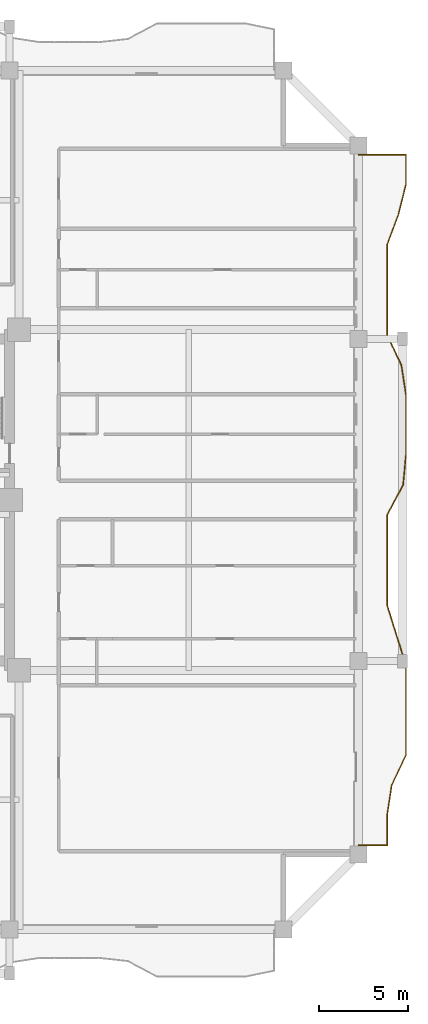
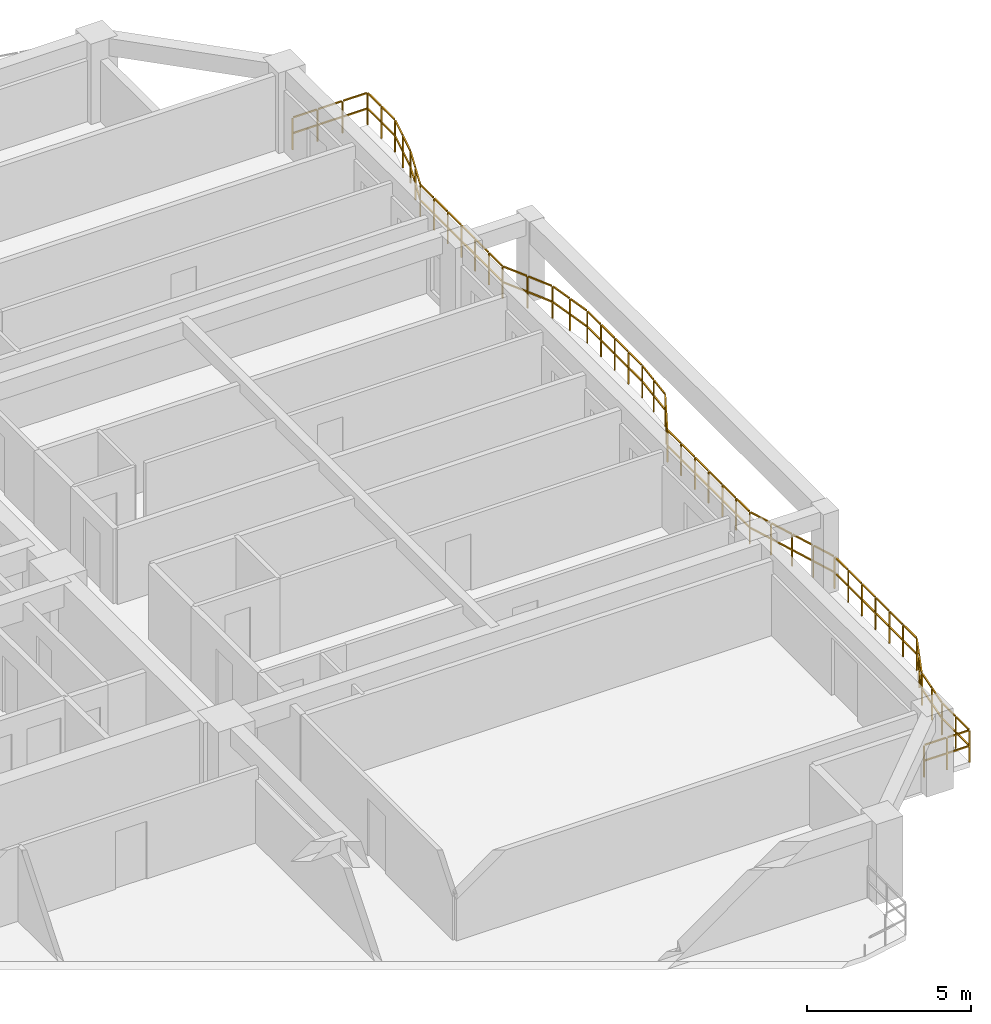
# One storey, part 12 of 13: 1 railing.
"""IFC4 building model written with IfcOpenShell, lengths in metres."""

from ifc_helpers import new_model, si_unit, direction, frame, origin, origin_2d, place, context, subcontext, project, spatial, rectangle, extrude, material, type_object, element, save


model = new_model("IFC4")

# Units and contexts
model_context = context("Model", 3, precision=1e-05, world=origin(), true_north=direction((0.0, 1.0)))
body_context = subcontext(model_context, "Body", "Model", "MODEL_VIEW")
ifc_project = project(units=[si_unit("LENGTHUNIT", "METRE"), si_unit("AREAUNIT", "SQUARE_METRE"), si_unit("VOLUMEUNIT", "CUBIC_METRE"), si_unit("PLANEANGLEUNIT", "RADIAN"), si_unit("MASSUNIT", "GRAM", prefix="KILO")], contexts=[model_context])

# Site, building, storey
site_placement = place(None, origin())
site = spatial("IfcSite", under=ifc_project, at=site_placement, CompositionType="ELEMENT")
building_placement = place(site_placement, origin())
building = spatial("IfcBuilding", under=site, at=building_placement, Name="Saelheon Loggia Tower", CompositionType="ELEMENT")
storey_placement = place(building_placement, frame((0.0, 0.0, 132.75)))
storey = spatial("IfcBuildingStorey", under=building, at=storey_placement, Name="L42", CompositionType="ELEMENT", Elevation=132.75)

# Railing
ifc_material = material(Name="Architectural Precast Concrete and Laminated Glass Guard", Category="concrete")
railing_type = type_object("IfcRailingType", Name="Guard_Loggia_RL_LOG", PredefinedType="BALUSTRADE", material=ifc_material)
railing_placement = place(storey_placement, frame((64.0, 7.699951171875, 0.0)))
element("IfcRailing", 1, at=railing_placement, inside=storey, type_object=railing_type, Name="L42 East Loggia Balustrade", PredefinedType="BALUSTRADE", context=body_context, shape_type="SweptSolid", body=[
    extrude(rectangle(XDim=0.048095703125, YDim=0.048095703125, at=origin_2d()), frame((0.033203125, 0.0, 1.19580078125), z_axis=(1.0, 0.0, 0.0), x_axis=(0.0, 1.0, 0.0)), (0.0, 0.0, 1.0), 0.733642578125),
    extrude(rectangle(XDim=0.048095703125, YDim=0.048095703125, at=origin_2d()), frame((0.033203125, 0.0, 0.60986328125), z_axis=(1.0, 0.0, 0.0), x_axis=(0.0, 1.0, 0.0)), (0.0, 0.0, 1.0), 0.733642578125),
    extrude(rectangle(XDim=0.048095703125, YDim=0.048095703125, at=origin_2d()), frame((0.833251953125, 0.0, 1.19580078125), z_axis=(1.0, 0.0, 0.0), x_axis=(0.0, 1.0, 0.0)), (0.0, 0.0, 1.0), 0.733642578125),
    extrude(rectangle(XDim=0.048095703125, YDim=0.048095703125, at=origin_2d()), frame((0.833251953125, 0.0, 0.60986328125), z_axis=(1.0, 0.0, 0.0), x_axis=(0.0, 1.0, 0.0)), (0.0, 0.0, 1.0), 0.733642578125),
    extrude(rectangle(XDim=0.048095703125, YDim=0.048095703125, at=origin_2d()), frame((1.60009765625, 0.033203125, 1.19580078125), z_axis=(0.0, 1.0, 0.0), x_axis=(-1.0, 0.0, 0.0)), (0.0, 0.0, 1.0), 0.772705078125),
    extrude(rectangle(XDim=0.048095703125, YDim=0.048095703125, at=origin_2d()), frame((1.60009765625, 0.033203125, 0.60986328125), z_axis=(0.0, 1.0, 0.0), x_axis=(-1.0, 0.0, 0.0)), (0.0, 0.0, 1.0), 0.772705078125),
    extrude(rectangle(XDim=0.048095703125, YDim=0.048095703125, at=origin_2d()), frame((1.60009765625, 0.87255859375, 1.19580078125), z_axis=(0.0, 1.0, 0.0), x_axis=(-1.0, 0.0, 0.0)), (0.0, 0.0, 1.0), 0.772705078125),
    extrude(rectangle(XDim=0.048095703125, YDim=0.048095703125, at=origin_2d()), frame((1.60009765625, 0.87255859375, 0.60986328125), z_axis=(0.0, 1.0, 0.0), x_axis=(-1.0, 0.0, 0.0)), (0.0, 0.0, 1.0), 0.772705078125),
    extrude(rectangle(XDim=0.048095703125, YDim=0.048095703125, at=origin_2d()), frame((1.605224609375, 1.71142578125, 1.19580078125), z_axis=(0.15116008587, 0.988509296082, 0.0), x_axis=(-0.988509296082, 0.15116008587, 0.0)), (0.0, 0.0, 1.0), 0.7822265625),
    extrude(rectangle(XDim=0.048095703125, YDim=0.048095703125, at=origin_2d()), frame((1.605224609375, 1.71142578125, 0.60986328125), z_axis=(0.15116008587, 0.988509296082, 0.0), x_axis=(-0.988509296082, 0.15116008587, 0.0)), (0.0, 0.0, 1.0), 0.7822265625),
    extrude(rectangle(XDim=0.048095703125, YDim=0.048095703125, at=origin_2d()), frame((1.7333984375, 2.55029296875, 1.19580078125), z_axis=(0.15116008587, 0.988509296082, 0.0), x_axis=(-0.988509296082, 0.15116008587, 0.0)), (0.0, 0.0, 1.0), 0.7822265625),
    extrude(rectangle(XDim=0.048095703125, YDim=0.048095703125, at=origin_2d()), frame((1.7333984375, 2.55029296875, 0.60986328125), z_axis=(0.15116008587, 0.988509296082, 0.0), x_axis=(-0.988509296082, 0.15116008587, 0.0)), (0.0, 0.0, 1.0), 0.7822265625),
    extrude(rectangle(XDim=0.048095703125, YDim=0.048095703125, at=origin_2d()), frame((1.870849609375, 3.386474609375, 1.19580078125), z_axis=(0.427272125585, 0.90412307276, 0.0), x_axis=(-0.90412307276, 0.427272125585, 0.0)), (0.0, 0.0, 1.0), 0.86181640625),
    extrude(rectangle(XDim=0.048095703125, YDim=0.048095703125, at=origin_2d()), frame((1.870849609375, 3.386474609375, 0.60986328125), z_axis=(0.427272125585, 0.90412307276, 0.0), x_axis=(-0.90412307276, 0.427272125585, 0.0)), (0.0, 0.0, 1.0), 0.86181640625),
    extrude(rectangle(XDim=0.048095703125, YDim=0.048095703125, at=origin_2d()), frame((2.267578125, 4.225830078125, 1.19580078125), z_axis=(0.427272125585, 0.90412307276, 0.0), x_axis=(-0.90412307276, 0.427272125585, 0.0)), (0.0, 0.0, 1.0), 0.86181640625),
    extrude(rectangle(XDim=0.048095703125, YDim=0.048095703125, at=origin_2d()), frame((2.267578125, 4.225830078125, 0.60986328125), z_axis=(0.427272125585, 0.90412307276, 0.0), x_axis=(-0.90412307276, 0.427272125585, 0.0)), (0.0, 0.0, 1.0), 0.86181640625),
    extrude(rectangle(XDim=0.048095703125, YDim=0.048095703125, at=origin_2d()), frame((2.64990234375, 5.068115234375, 1.19580078125), z_axis=(0.0, 1.0, 0.0), x_axis=(-1.0, 0.0, 0.0)), (0.0, 0.0, 1.0), 0.772705078125),
    extrude(rectangle(XDim=0.048095703125, YDim=0.048095703125, at=origin_2d()), frame((2.64990234375, 5.068115234375, 0.60986328125), z_axis=(0.0, 1.0, 0.0), x_axis=(-1.0, 0.0, 0.0)), (0.0, 0.0, 1.0), 0.772705078125),
    extrude(rectangle(XDim=0.048095703125, YDim=0.048095703125, at=origin_2d()), frame((2.64990234375, 5.9072265625, 1.19580078125), z_axis=(0.0, 1.0, 0.0), x_axis=(-1.0, 0.0, 0.0)), (0.0, 0.0, 1.0), 0.772705078125),
    extrude(rectangle(XDim=0.048095703125, YDim=0.048095703125, at=origin_2d()), frame((2.64990234375, 5.9072265625, 0.60986328125), z_axis=(0.0, 1.0, 0.0), x_axis=(-1.0, 0.0, 0.0)), (0.0, 0.0, 1.0), 0.772705078125),
    extrude(rectangle(XDim=0.048095703125, YDim=0.048095703125, at=origin_2d()), frame((2.64990234375, 6.746337890625, 1.19580078125), z_axis=(0.0, 1.0, 0.0), x_axis=(-1.0, 0.0, 0.0)), (0.0, 0.0, 1.0), 0.772705078125),
    extrude(rectangle(XDim=0.048095703125, YDim=0.048095703125, at=origin_2d()), frame((2.64990234375, 6.746337890625, 0.60986328125), z_axis=(0.0, 1.0, 0.0), x_axis=(-1.0, 0.0, 0.0)), (0.0, 0.0, 1.0), 0.772705078125),
    extrude(rectangle(XDim=0.048095703125, YDim=0.048095703125, at=origin_2d()), frame((2.64990234375, 7.58544921875, 1.19580078125), z_axis=(0.0, 1.0, 0.0), x_axis=(-1.0, 0.0, 0.0)), (0.0, 0.0, 1.0), 0.772705078125),
    extrude(rectangle(XDim=0.048095703125, YDim=0.048095703125, at=origin_2d()), frame((2.64990234375, 7.58544921875, 0.60986328125), z_axis=(0.0, 1.0, 0.0), x_axis=(-1.0, 0.0, 0.0)), (0.0, 0.0, 1.0), 0.772705078125),
    extrude(rectangle(XDim=0.048095703125, YDim=0.048095703125, at=origin_2d()), frame((2.64990234375, 8.424560546875, 1.19580078125), z_axis=(0.0, 1.0, 0.0), x_axis=(-1.0, 0.0, 0.0)), (0.0, 0.0, 1.0), 0.772705078125),
    extrude(rectangle(XDim=0.048095703125, YDim=0.048095703125, at=origin_2d()), frame((2.64990234375, 8.424560546875, 0.60986328125), z_axis=(0.0, 1.0, 0.0), x_axis=(-1.0, 0.0, 0.0)), (0.0, 0.0, 1.0), 0.772705078125),
    extrude(rectangle(XDim=0.048095703125, YDim=0.048095703125, at=origin_2d()), frame((2.64990234375, 9.263671875, 1.19580078125), z_axis=(0.0, 1.0, 0.0), x_axis=(-1.0, 0.0, 0.0)), (0.0, 0.0, 1.0), 0.772705078125),
    extrude(rectangle(XDim=0.048095703125, YDim=0.048095703125, at=origin_2d()), frame((2.64990234375, 9.263671875, 0.60986328125), z_axis=(0.0, 1.0, 0.0), x_axis=(-1.0, 0.0, 0.0)), (0.0, 0.0, 1.0), 0.772705078125),
    extrude(rectangle(XDim=0.048095703125, YDim=0.048095703125, at=origin_2d()), frame((2.639892578125, 10.101318359375, 1.19580078125), z_axis=(-0.299017909957, 0.954247499093, 0.0), x_axis=(-0.954247499093, -0.299017909957, 0.0)), (0.0, 0.0, 1.0), 0.81298828125),
    extrude(rectangle(XDim=0.048095703125, YDim=0.048095703125, at=origin_2d()), frame((2.639892578125, 10.101318359375, 0.60986328125), z_axis=(-0.299017909957, 0.954247499093, 0.0), x_axis=(-0.954247499093, -0.299017909957, 0.0)), (0.0, 0.0, 1.0), 0.81298828125),
    extrude(rectangle(XDim=0.048095703125, YDim=0.048095703125, at=origin_2d()), frame((2.376953125, 10.9404296875, 1.19580078125), z_axis=(-0.299017909957, 0.954247499093, 0.0), x_axis=(-0.954247499093, -0.299017909957, 0.0)), (0.0, 0.0, 1.0), 0.81298828125),
    extrude(rectangle(XDim=0.048095703125, YDim=0.048095703125, at=origin_2d()), frame((2.376953125, 10.9404296875, 0.60986328125), z_axis=(-0.299017909957, 0.954247499093, 0.0), x_axis=(-0.954247499093, -0.299017909957, 0.0)), (0.0, 0.0, 1.0), 0.81298828125),
    extrude(rectangle(XDim=0.048095703125, YDim=0.048095703125, at=origin_2d()), frame((2.114013671875, 11.779541015625, 1.19580078125), z_axis=(-0.297966647273, 0.954576281453, 0.0), x_axis=(-0.954576281453, -0.297966647273, 0.0)), (0.0, 0.0, 1.0), 0.812744140625),
    extrude(rectangle(XDim=0.048095703125, YDim=0.048095703125, at=origin_2d()), frame((2.114013671875, 11.779541015625, 0.60986328125), z_axis=(-0.297966647273, 0.954576281453, 0.0), x_axis=(-0.954576281453, -0.297966647273, 0.0)), (0.0, 0.0, 1.0), 0.812744140625),
    extrude(rectangle(XDim=0.048095703125, YDim=0.048095703125, at=origin_2d()), frame((1.85205078125, 12.61865234375, 1.19580078125), z_axis=(-0.297966647273, 0.954576281453, 0.0), x_axis=(-0.954576281453, -0.297966647273, 0.0)), (0.0, 0.0, 1.0), 0.812744140625),
    extrude(rectangle(XDim=0.048095703125, YDim=0.048095703125, at=origin_2d()), frame((1.85205078125, 12.61865234375, 0.60986328125), z_axis=(-0.297966647273, 0.954576281453, 0.0), x_axis=(-0.954576281453, -0.297966647273, 0.0)), (0.0, 0.0, 1.0), 0.812744140625),
    extrude(rectangle(XDim=0.048095703125, YDim=0.048095703125, at=origin_2d()), frame((1.60009765625, 13.45947265625, 1.19580078125), z_axis=(0.0, 1.0, 0.0), x_axis=(-1.0, 0.0, 0.0)), (0.0, 0.0, 1.0), 0.7724609375),
    extrude(rectangle(XDim=0.048095703125, YDim=0.048095703125, at=origin_2d()), frame((1.60009765625, 13.45947265625, 0.60986328125), z_axis=(0.0, 1.0, 0.0), x_axis=(-1.0, 0.0, 0.0)), (0.0, 0.0, 1.0), 0.7724609375),
    extrude(rectangle(XDim=0.048095703125, YDim=0.048095703125, at=origin_2d()), frame((1.60009765625, 14.298583984375, 1.19580078125), z_axis=(0.0, 1.0, 0.0), x_axis=(-1.0, 0.0, 0.0)), (0.0, 0.0, 1.0), 0.7724609375),
    extrude(rectangle(XDim=0.048095703125, YDim=0.048095703125, at=origin_2d()), frame((1.60009765625, 14.298583984375, 0.60986328125), z_axis=(0.0, 1.0, 0.0), x_axis=(-1.0, 0.0, 0.0)), (0.0, 0.0, 1.0), 0.7724609375),
    extrude(rectangle(XDim=0.048095703125, YDim=0.048095703125, at=origin_2d()), frame((1.60009765625, 15.137451171875, 1.19580078125), z_axis=(0.0, 1.0, 0.0), x_axis=(-1.0, 0.0, 0.0)), (0.0, 0.0, 1.0), 0.772705078125),
    extrude(rectangle(XDim=0.048095703125, YDim=0.048095703125, at=origin_2d()), frame((1.60009765625, 15.137451171875, 0.60986328125), z_axis=(0.0, 1.0, 0.0), x_axis=(-1.0, 0.0, 0.0)), (0.0, 0.0, 1.0), 0.772705078125),
    extrude(rectangle(XDim=0.048095703125, YDim=0.048095703125, at=origin_2d()), frame((1.60009765625, 15.976806640625, 1.19580078125), z_axis=(0.0, 1.0, 0.0), x_axis=(-1.0, 0.0, 0.0)), (0.0, 0.0, 1.0), 0.772705078125),
    extrude(rectangle(XDim=0.048095703125, YDim=0.048095703125, at=origin_2d()), frame((1.60009765625, 15.976806640625, 0.60986328125), z_axis=(0.0, 1.0, 0.0), x_axis=(-1.0, 0.0, 0.0)), (0.0, 0.0, 1.0), 0.772705078125),
    extrude(rectangle(XDim=0.048095703125, YDim=0.048095703125, at=origin_2d()), frame((1.60009765625, 16.81591796875, 1.19580078125), z_axis=(0.000727378335, 0.99999973546, 0.0), x_axis=(-0.99999973546, 0.000727378335, 0.0)), (0.0, 0.0, 1.0), 0.772705078125),
    extrude(rectangle(XDim=0.048095703125, YDim=0.048095703125, at=origin_2d()), frame((1.60009765625, 16.81591796875, 0.60986328125), z_axis=(0.000727378335, 0.99999973546, 0.0), x_axis=(-0.99999973546, 0.000727378335, 0.0)), (0.0, 0.0, 1.0), 0.772705078125),
    extrude(rectangle(XDim=0.048095703125, YDim=0.048095703125, at=origin_2d()), frame((1.600830078125, 17.655029296875, 1.19580078125), z_axis=(0.000727378335, 0.99999973546, 0.0), x_axis=(-0.99999973546, 0.000727378335, 0.0)), (0.0, 0.0, 1.0), 0.772705078125),
    extrude(rectangle(XDim=0.048095703125, YDim=0.048095703125, at=origin_2d()), frame((1.600830078125, 17.655029296875, 0.60986328125), z_axis=(0.000727378335, 0.99999973546, 0.0), x_axis=(-0.99999973546, 0.000727378335, 0.0)), (0.0, 0.0, 1.0), 0.772705078125),
    extrude(rectangle(XDim=0.048095703125, YDim=0.048095703125, at=origin_2d()), frame((1.616943359375, 18.490234375, 1.19580078125), z_axis=(0.469474503482, 0.882946029257, 0.0), x_axis=(-0.882946029257, 0.469474503482, 0.0)), (0.0, 0.0, 1.0), 0.8837890625),
    extrude(rectangle(XDim=0.048095703125, YDim=0.048095703125, at=origin_2d()), frame((1.616943359375, 18.490234375, 0.60986328125), z_axis=(0.469474503482, 0.882946029257, 0.0), x_axis=(-0.882946029257, 0.469474503482, 0.0)), (0.0, 0.0, 1.0), 0.8837890625),
    extrude(rectangle(XDim=0.048095703125, YDim=0.048095703125, at=origin_2d()), frame((2.06298828125, 19.329345703125, 1.19580078125), z_axis=(0.469474503482, 0.882946029257, 0.0), x_axis=(-0.882946029257, 0.469474503482, 0.0)), (0.0, 0.0, 1.0), 0.8837890625),
    extrude(rectangle(XDim=0.048095703125, YDim=0.048095703125, at=origin_2d()), frame((2.06298828125, 19.329345703125, 0.60986328125), z_axis=(0.469474503482, 0.882946029257, 0.0), x_axis=(-0.882946029257, 0.469474503482, 0.0)), (0.0, 0.0, 1.0), 0.8837890625),
    extrude(rectangle(XDim=0.048095703125, YDim=0.048095703125, at=origin_2d()), frame((2.496826171875, 20.17236328125, 1.19580078125), z_axis=(0.092703521138, 0.995693756719, 0.0), x_axis=(-0.995693756719, 0.092703521138, 0.0)), (0.0, 0.0, 1.0), 0.7763671875),
    extrude(rectangle(XDim=0.048095703125, YDim=0.048095703125, at=origin_2d()), frame((2.496826171875, 20.17236328125, 0.60986328125), z_axis=(0.092703521138, 0.995693756719, 0.0), x_axis=(-0.995693756719, 0.092703521138, 0.0)), (0.0, 0.0, 1.0), 0.7763671875),
    extrude(rectangle(XDim=0.048095703125, YDim=0.048095703125, at=origin_2d()), frame((2.574951171875, 21.011474609375, 1.19580078125), z_axis=(0.092703521138, 0.995693756719, 0.0), x_axis=(-0.995693756719, 0.092703521138, 0.0)), (0.0, 0.0, 1.0), 0.7763671875),
    extrude(rectangle(XDim=0.048095703125, YDim=0.048095703125, at=origin_2d()), frame((2.574951171875, 21.011474609375, 0.60986328125), z_axis=(0.092703521138, 0.995693756719, 0.0), x_axis=(-0.995693756719, 0.092703521138, 0.0)), (0.0, 0.0, 1.0), 0.7763671875),
    extrude(rectangle(XDim=0.048095703125, YDim=0.048095703125, at=origin_2d()), frame((2.64990234375, 21.8505859375, 1.19580078125), z_axis=(0.0, 1.0, 0.0), x_axis=(-1.0, 0.0, 0.0)), (0.0, 0.0, 1.0), 0.772705078125),
    extrude(rectangle(XDim=0.048095703125, YDim=0.048095703125, at=origin_2d()), frame((2.64990234375, 21.8505859375, 0.60986328125), z_axis=(0.0, 1.0, 0.0), x_axis=(-1.0, 0.0, 0.0)), (0.0, 0.0, 1.0), 0.772705078125),
    extrude(rectangle(XDim=0.048095703125, YDim=0.048095703125, at=origin_2d()), frame((2.64990234375, 22.68994140625, 1.19580078125), z_axis=(0.0, 1.0, 0.0), x_axis=(-1.0, 0.0, 0.0)), (0.0, 0.0, 1.0), 0.772705078125),
    extrude(rectangle(XDim=0.048095703125, YDim=0.048095703125, at=origin_2d()), frame((2.64990234375, 22.68994140625, 0.60986328125), z_axis=(0.0, 1.0, 0.0), x_axis=(-1.0, 0.0, 0.0)), (0.0, 0.0, 1.0), 0.772705078125),
    extrude(rectangle(XDim=0.048095703125, YDim=0.048095703125, at=origin_2d()), frame((2.64990234375, 23.529052734375, 1.19580078125), z_axis=(0.0, 1.0, 0.0), x_axis=(-1.0, 0.0, 0.0)), (0.0, 0.0, 1.0), 0.7724609375),
    extrude(rectangle(XDim=0.048095703125, YDim=0.048095703125, at=origin_2d()), frame((2.64990234375, 23.529052734375, 0.60986328125), z_axis=(0.0, 1.0, 0.0), x_axis=(-1.0, 0.0, 0.0)), (0.0, 0.0, 1.0), 0.7724609375),
    extrude(rectangle(XDim=0.048095703125, YDim=0.048095703125, at=origin_2d()), frame((2.64990234375, 24.3681640625, 1.19580078125), z_axis=(0.0, 1.0, 0.0), x_axis=(-1.0, 0.0, 0.0)), (0.0, 0.0, 1.0), 0.7724609375),
    extrude(rectangle(XDim=0.048095703125, YDim=0.048095703125, at=origin_2d()), frame((2.64990234375, 24.3681640625, 0.60986328125), z_axis=(0.0, 1.0, 0.0), x_axis=(-1.0, 0.0, 0.0)), (0.0, 0.0, 1.0), 0.7724609375),
    extrude(rectangle(XDim=0.048095703125, YDim=0.048095703125, at=origin_2d()), frame((2.644775390625, 25.206787109375, 1.19580078125), z_axis=(-0.151819504814, 0.988408234465, 0.0), x_axis=(-0.988408234465, -0.151819504814, 0.0)), (0.0, 0.0, 1.0), 0.78271484375),
    extrude(rectangle(XDim=0.048095703125, YDim=0.048095703125, at=origin_2d()), frame((2.644775390625, 25.206787109375, 0.60986328125), z_axis=(-0.151819504814, 0.988408234465, 0.0), x_axis=(-0.988408234465, -0.151819504814, 0.0)), (0.0, 0.0, 1.0), 0.78271484375),
    extrude(rectangle(XDim=0.048095703125, YDim=0.048095703125, at=origin_2d()), frame((2.515869140625, 26.0458984375, 1.19580078125), z_axis=(-0.151819504814, 0.988408234465, 0.0), x_axis=(-0.988408234465, -0.151819504814, 0.0)), (0.0, 0.0, 1.0), 0.78271484375),
    extrude(rectangle(XDim=0.048095703125, YDim=0.048095703125, at=origin_2d()), frame((2.515869140625, 26.0458984375, 0.60986328125), z_axis=(-0.151819504814, 0.988408234465, 0.0), x_axis=(-0.988408234465, -0.151819504814, 0.0)), (0.0, 0.0, 1.0), 0.78271484375),
    extrude(rectangle(XDim=0.048095703125, YDim=0.048095703125, at=origin_2d()), frame((2.3779296875, 26.88232421875, 1.19580078125), z_axis=(-0.42678516989, 0.904353038786, 0.0), x_axis=(-0.904353038786, -0.42678516989, 0.0)), (0.0, 0.0, 1.0), 0.861328125),
    extrude(rectangle(XDim=0.048095703125, YDim=0.048095703125, at=origin_2d()), frame((2.3779296875, 26.88232421875, 0.60986328125), z_axis=(-0.42678516989, 0.904353038786, 0.0), x_axis=(-0.904353038786, -0.42678516989, 0.0)), (0.0, 0.0, 1.0), 0.861328125),
    extrude(rectangle(XDim=0.048095703125, YDim=0.048095703125, at=origin_2d()), frame((1.98193359375, 27.721435546875, 1.19580078125), z_axis=(-0.42678516989, 0.904353038786, 0.0), x_axis=(-0.904353038786, -0.42678516989, 0.0)), (0.0, 0.0, 1.0), 0.861328125),
    extrude(rectangle(XDim=0.048095703125, YDim=0.048095703125, at=origin_2d()), frame((1.98193359375, 27.721435546875, 0.60986328125), z_axis=(-0.42678516989, 0.904353038786, 0.0), x_axis=(-0.904353038786, -0.42678516989, 0.0)), (0.0, 0.0, 1.0), 0.861328125),
    extrude(rectangle(XDim=0.048095703125, YDim=0.048095703125, at=origin_2d()), frame((1.60009765625, 28.563720703125, 1.19580078125), z_axis=(0.0, 1.0, 0.0), x_axis=(-1.0, 0.0, 0.0)), (0.0, 0.0, 1.0), 0.772705078125),
    extrude(rectangle(XDim=0.048095703125, YDim=0.048095703125, at=origin_2d()), frame((1.60009765625, 28.563720703125, 0.60986328125), z_axis=(0.0, 1.0, 0.0), x_axis=(-1.0, 0.0, 0.0)), (0.0, 0.0, 1.0), 0.772705078125),
    extrude(rectangle(XDim=0.048095703125, YDim=0.048095703125, at=origin_2d()), frame((1.60009765625, 29.40283203125, 1.19580078125), z_axis=(0.0, 1.0, 0.0), x_axis=(-1.0, 0.0, 0.0)), (0.0, 0.0, 1.0), 0.772705078125),
    extrude(rectangle(XDim=0.048095703125, YDim=0.048095703125, at=origin_2d()), frame((1.60009765625, 29.40283203125, 0.60986328125), z_axis=(0.0, 1.0, 0.0), x_axis=(-1.0, 0.0, 0.0)), (0.0, 0.0, 1.0), 0.772705078125),
    extrude(rectangle(XDim=0.048095703125, YDim=0.048095703125, at=origin_2d()), frame((1.60009765625, 30.241943359375, 1.19580078125), z_axis=(0.0, 1.0, 0.0), x_axis=(-1.0, 0.0, 0.0)), (0.0, 0.0, 1.0), 0.772705078125),
    extrude(rectangle(XDim=0.048095703125, YDim=0.048095703125, at=origin_2d()), frame((1.60009765625, 30.241943359375, 0.60986328125), z_axis=(0.0, 1.0, 0.0), x_axis=(-1.0, 0.0, 0.0)), (0.0, 0.0, 1.0), 0.772705078125),
    extrude(rectangle(XDim=0.048095703125, YDim=0.048095703125, at=origin_2d()), frame((1.60009765625, 31.0810546875, 1.19580078125), z_axis=(0.0, 1.0, 0.0), x_axis=(-1.0, 0.0, 0.0)), (0.0, 0.0, 1.0), 0.772705078125),
    extrude(rectangle(XDim=0.048095703125, YDim=0.048095703125, at=origin_2d()), frame((1.60009765625, 31.0810546875, 0.60986328125), z_axis=(0.0, 1.0, 0.0), x_axis=(-1.0, 0.0, 0.0)), (0.0, 0.0, 1.0), 0.772705078125),
    extrude(rectangle(XDim=0.048095703125, YDim=0.048095703125, at=origin_2d()), frame((1.60009765625, 31.920166015625, 1.19580078125), z_axis=(0.0, 1.0, 0.0), x_axis=(-1.0, 0.0, 0.0)), (0.0, 0.0, 1.0), 0.772705078125),
    extrude(rectangle(XDim=0.048095703125, YDim=0.048095703125, at=origin_2d()), frame((1.60009765625, 31.920166015625, 0.60986328125), z_axis=(0.0, 1.0, 0.0), x_axis=(-1.0, 0.0, 0.0)), (0.0, 0.0, 1.0), 0.772705078125),
    extrude(rectangle(XDim=0.048095703125, YDim=0.048095703125, at=origin_2d()), frame((1.60009765625, 32.75927734375, 1.19580078125), z_axis=(0.0, 1.0, 0.0), x_axis=(-1.0, 0.0, 0.0)), (0.0, 0.0, 1.0), 0.772705078125),
    extrude(rectangle(XDim=0.048095703125, YDim=0.048095703125, at=origin_2d()), frame((1.60009765625, 32.75927734375, 0.60986328125), z_axis=(0.0, 1.0, 0.0), x_axis=(-1.0, 0.0, 0.0)), (0.0, 0.0, 1.0), 0.772705078125),
    extrude(rectangle(XDim=0.048095703125, YDim=0.048095703125, at=origin_2d()), frame((1.61181640625, 33.59619140625, 1.19580078125), z_axis=(0.350391780818, 0.936603224388, 0.0), x_axis=(-0.936603224388, 0.350391780818, 0.0)), (0.0, 0.0, 1.0), 0.82958984375),
    extrude(rectangle(XDim=0.048095703125, YDim=0.048095703125, at=origin_2d()), frame((1.61181640625, 33.59619140625, 0.60986328125), z_axis=(0.350391780818, 0.936603224388, 0.0), x_axis=(-0.936603224388, 0.350391780818, 0.0)), (0.0, 0.0, 1.0), 0.82958984375),
    extrude(rectangle(XDim=0.048095703125, YDim=0.048095703125, at=origin_2d()), frame((1.92578125, 34.435546875, 1.19580078125), z_axis=(0.350391780818, 0.936603224388, 0.0), x_axis=(-0.936603224388, 0.350391780818, 0.0)), (0.0, 0.0, 1.0), 0.82958984375),
    extrude(rectangle(XDim=0.048095703125, YDim=0.048095703125, at=origin_2d()), frame((1.92578125, 34.435546875, 0.60986328125), z_axis=(0.350391780818, 0.936603224388, 0.0), x_axis=(-0.936603224388, 0.350391780818, 0.0)), (0.0, 0.0, 1.0), 0.82958984375),
    extrude(rectangle(XDim=0.048095703125, YDim=0.048095703125, at=origin_2d()), frame((2.236083984375, 35.27587890625, 1.19580078125), z_axis=(0.243830259239, 0.969817923468, 0.0), x_axis=(-0.969817923468, 0.243830259239, 0.0)), (0.0, 0.0, 1.0), 0.798583984375),
    extrude(rectangle(XDim=0.048095703125, YDim=0.048095703125, at=origin_2d()), frame((2.236083984375, 35.27587890625, 0.60986328125), z_axis=(0.243830259239, 0.969817923468, 0.0), x_axis=(-0.969817923468, 0.243830259239, 0.0)), (0.0, 0.0, 1.0), 0.798583984375),
    extrude(rectangle(XDim=0.048095703125, YDim=0.048095703125, at=origin_2d()), frame((2.447021484375, 36.114990234375, 1.19580078125), z_axis=(0.243830259239, 0.969817923468, 0.0), x_axis=(-0.969817923468, 0.243830259239, 0.0)), (0.0, 0.0, 1.0), 0.798583984375),
    extrude(rectangle(XDim=0.048095703125, YDim=0.048095703125, at=origin_2d()), frame((2.447021484375, 36.114990234375, 0.60986328125), z_axis=(0.243830259239, 0.969817923468, 0.0), x_axis=(-0.969817923468, 0.243830259239, 0.0)), (0.0, 0.0, 1.0), 0.798583984375),
    extrude(rectangle(XDim=0.048095703125, YDim=0.048095703125, at=origin_2d()), frame((2.64990234375, 36.954833984375, 1.19580078125), z_axis=(0.0, 1.0, 0.0), x_axis=(-1.0, 0.0, 0.0)), (0.0, 0.0, 1.0), 0.772705078125),
    extrude(rectangle(XDim=0.048095703125, YDim=0.048095703125, at=origin_2d()), frame((2.64990234375, 36.954833984375, 0.60986328125), z_axis=(0.0, 1.0, 0.0), x_axis=(-1.0, 0.0, 0.0)), (0.0, 0.0, 1.0), 0.772705078125),
    extrude(rectangle(XDim=0.048095703125, YDim=0.048095703125, at=origin_2d()), frame((2.64990234375, 37.794189453125, 1.19580078125), z_axis=(0.0, 1.0, 0.0), x_axis=(-1.0, 0.0, 0.0)), (0.0, 0.0, 1.0), 0.772705078125),
    extrude(rectangle(XDim=0.048095703125, YDim=0.048095703125, at=origin_2d()), frame((2.64990234375, 37.794189453125, 0.60986328125), z_axis=(0.0, 1.0, 0.0), x_axis=(-1.0, 0.0, 0.0)), (0.0, 0.0, 1.0), 0.772705078125),
    extrude(rectangle(XDim=0.048095703125, YDim=0.048095703125, at=origin_2d()), frame((2.61669921875, 38.60009765625, 1.19580078125), z_axis=(-1.0, 0.0, 0.0), x_axis=(0.0, -1.0, 0.0)), (0.0, 0.0, 1.0), 0.81689453125),
    extrude(rectangle(XDim=0.048095703125, YDim=0.048095703125, at=origin_2d()), frame((2.61669921875, 38.60009765625, 0.60986328125), z_axis=(-1.0, 0.0, 0.0), x_axis=(0.0, -1.0, 0.0)), (0.0, 0.0, 1.0), 0.81689453125),
    extrude(rectangle(XDim=0.048095703125, YDim=0.048095703125, at=origin_2d()), frame((1.7333984375, 38.60009765625, 1.19580078125), z_axis=(-1.0, 0.0, 0.0), x_axis=(0.0, -1.0, 0.0)), (0.0, 0.0, 1.0), 0.81689453125),
    extrude(rectangle(XDim=0.048095703125, YDim=0.048095703125, at=origin_2d()), frame((1.7333984375, 38.60009765625, 0.60986328125), z_axis=(-1.0, 0.0, 0.0), x_axis=(0.0, -1.0, 0.0)), (0.0, 0.0, 1.0), 0.81689453125),
    extrude(rectangle(XDim=0.048095703125, YDim=0.048095703125, at=origin_2d()), frame((0.85009765625, 38.60009765625, 1.19580078125), z_axis=(-1.0, 0.0, 0.0), x_axis=(0.0, -1.0, 0.0)), (0.0, 0.0, 1.0), 0.81689453125),
    extrude(rectangle(XDim=0.048095703125, YDim=0.048095703125, at=origin_2d()), frame((0.85009765625, 38.60009765625, 0.60986328125), z_axis=(-1.0, 0.0, 0.0), x_axis=(0.0, -1.0, 0.0)), (0.0, 0.0, 1.0), 0.81689453125),
    extrude(rectangle(XDim=0.0419921875, YDim=0.0419921875, at=origin_2d()), origin(), (0.0, 0.0, 1.0), 1.16796875),
    extrude(rectangle(XDim=0.0419921875, YDim=0.0419921875, at=origin_2d()), frame((0.800048828125, 0.0, 0.0)), (0.0, 0.0, 1.0), 1.16796875),
    extrude(rectangle(XDim=0.0419921875, YDim=0.0419921875, at=origin_2d()), frame((1.60009765625, 0.0, 0.0)), (0.0, 0.0, 1.0), 1.16796875),
    extrude(rectangle(XDim=0.0419921875, YDim=0.0419921875, at=origin_2d()), frame((1.60009765625, 0.83935546875, 0.0)), (0.0, 0.0, 1.0), 1.16796875),
    extrude(rectangle(XDim=0.0419921875, YDim=0.0419921875, at=origin_2d()), frame((1.60009765625, 1.678466796875, 0.0)), (0.0, 0.0, 1.0), 1.16796875),
    extrude(rectangle(XDim=0.0419921875, YDim=0.0419921875, at=origin_2d()), frame((1.728515625, 2.517578125, 0.0)), (0.0, 0.0, 1.0), 1.16796875),
    extrude(rectangle(XDim=0.0419921875, YDim=0.0419921875, at=origin_2d()), frame((1.856689453125, 3.3564453125, 0.0)), (0.0, 0.0, 1.0), 1.16796875),
    extrude(rectangle(XDim=0.0419921875, YDim=0.0419921875, at=origin_2d()), frame((2.25341796875, 4.19580078125, 0.0)), (0.0, 0.0, 1.0), 1.16796875),
    extrude(rectangle(XDim=0.0419921875, YDim=0.0419921875, at=origin_2d()), frame((2.64990234375, 5.034912109375, 0.0)), (0.0, 0.0, 1.0), 1.16796875),
    extrude(rectangle(XDim=0.0419921875, YDim=0.0419921875, at=origin_2d()), frame((2.64990234375, 5.8740234375, 0.0)), (0.0, 0.0, 1.0), 1.16796875),
    extrude(rectangle(XDim=0.0419921875, YDim=0.0419921875, at=origin_2d()), frame((2.64990234375, 6.713134765625, 0.0)), (0.0, 0.0, 1.0), 1.16796875),
    extrude(rectangle(XDim=0.0419921875, YDim=0.0419921875, at=origin_2d()), frame((2.64990234375, 7.55224609375, 0.0)), (0.0, 0.0, 1.0), 1.16796875),
    extrude(rectangle(XDim=0.0419921875, YDim=0.0419921875, at=origin_2d()), frame((2.64990234375, 8.391357421875, 0.0)), (0.0, 0.0, 1.0), 1.16796875),
    extrude(rectangle(XDim=0.0419921875, YDim=0.0419921875, at=origin_2d()), frame((2.64990234375, 9.23046875, 0.0)), (0.0, 0.0, 1.0), 1.16796875),
    extrude(rectangle(XDim=0.0419921875, YDim=0.0419921875, at=origin_2d()), frame((2.64990234375, 10.069580078125, 0.0)), (0.0, 0.0, 1.0), 1.16796875),
    extrude(rectangle(XDim=0.0419921875, YDim=0.0419921875, at=origin_2d()), frame((2.386962890625, 10.90869140625, 0.0)), (0.0, 0.0, 1.0), 1.16796875),
    extrude(rectangle(XDim=0.0419921875, YDim=0.0419921875, at=origin_2d()), frame((2.1240234375, 11.747802734375, 0.0)), (0.0, 0.0, 1.0), 1.16796875),
    extrude(rectangle(XDim=0.0419921875, YDim=0.0419921875, at=origin_2d()), frame((1.862060546875, 12.5869140625, 0.0)), (0.0, 0.0, 1.0), 1.16796875),
    extrude(rectangle(XDim=0.0419921875, YDim=0.0419921875, at=origin_2d()), frame((1.60009765625, 13.42626953125, 0.0)), (0.0, 0.0, 1.0), 1.16796875),
    extrude(rectangle(XDim=0.0419921875, YDim=0.0419921875, at=origin_2d()), frame((1.60009765625, 14.26513671875, 0.0)), (0.0, 0.0, 1.0), 1.16796875),
    extrude(rectangle(XDim=0.0419921875, YDim=0.0419921875, at=origin_2d()), frame((1.60009765625, 15.104248046875, 0.0)), (0.0, 0.0, 1.0), 1.16796875),
    extrude(rectangle(XDim=0.0419921875, YDim=0.0419921875, at=origin_2d()), frame((1.60009765625, 15.943359375, 0.0)), (0.0, 0.0, 1.0), 1.16796875),
    extrude(rectangle(XDim=0.0419921875, YDim=0.0419921875, at=origin_2d()), frame((1.60009765625, 16.78271484375, 0.0)), (0.0, 0.0, 1.0), 1.16796875),
    extrude(rectangle(XDim=0.0419921875, YDim=0.0419921875, at=origin_2d()), frame((1.6005859375, 17.621826171875, 0.0)), (0.0, 0.0, 1.0), 1.16796875),
    extrude(rectangle(XDim=0.0419921875, YDim=0.0419921875, at=origin_2d()), frame((1.601318359375, 18.4609375, 0.0)), (0.0, 0.0, 1.0), 1.16796875),
    extrude(rectangle(XDim=0.0419921875, YDim=0.0419921875, at=origin_2d()), frame((2.04736328125, 19.300048828125, 0.0)), (0.0, 0.0, 1.0), 1.16796875),
    extrude(rectangle(XDim=0.0419921875, YDim=0.0419921875, at=origin_2d()), frame((2.49365234375, 20.13916015625, 0.0)), (0.0, 0.0, 1.0), 1.16796875),
    extrude(rectangle(XDim=0.0419921875, YDim=0.0419921875, at=origin_2d()), frame((2.57177734375, 20.978271484375, 0.0)), (0.0, 0.0, 1.0), 1.16796875),
    extrude(rectangle(XDim=0.0419921875, YDim=0.0419921875, at=origin_2d()), frame((2.64990234375, 21.8173828125, 0.0)), (0.0, 0.0, 1.0), 1.16796875),
    extrude(rectangle(XDim=0.0419921875, YDim=0.0419921875, at=origin_2d()), frame((2.64990234375, 22.65673828125, 0.0)), (0.0, 0.0, 1.0), 1.16796875),
    extrude(rectangle(XDim=0.0419921875, YDim=0.0419921875, at=origin_2d()), frame((2.64990234375, 23.495849609375, 0.0)), (0.0, 0.0, 1.0), 1.16796875),
    extrude(rectangle(XDim=0.0419921875, YDim=0.0419921875, at=origin_2d()), frame((2.64990234375, 24.3349609375, 0.0)), (0.0, 0.0, 1.0), 1.16796875),
    extrude(rectangle(XDim=0.0419921875, YDim=0.0419921875, at=origin_2d()), frame((2.64990234375, 25.173828125, 0.0)), (0.0, 0.0, 1.0), 1.16796875),
    extrude(rectangle(XDim=0.0419921875, YDim=0.0419921875, at=origin_2d()), frame((2.52099609375, 26.01318359375, 0.0)), (0.0, 0.0, 1.0), 1.16796875),
    extrude(rectangle(XDim=0.0419921875, YDim=0.0419921875, at=origin_2d()), frame((2.39208984375, 26.852294921875, 0.0)), (0.0, 0.0, 1.0), 1.16796875),
    extrude(rectangle(XDim=0.0419921875, YDim=0.0419921875, at=origin_2d()), frame((1.99609375, 27.69140625, 0.0)), (0.0, 0.0, 1.0), 1.16796875),
    extrude(rectangle(XDim=0.0419921875, YDim=0.0419921875, at=origin_2d()), frame((1.60009765625, 28.530517578125, 0.0)), (0.0, 0.0, 1.0), 1.16796875),
    extrude(rectangle(XDim=0.0419921875, YDim=0.0419921875, at=origin_2d()), frame((1.60009765625, 29.36962890625, 0.0)), (0.0, 0.0, 1.0), 1.16796875),
    extrude(rectangle(XDim=0.0419921875, YDim=0.0419921875, at=origin_2d()), frame((1.60009765625, 30.208740234375, 0.0)), (0.0, 0.0, 1.0), 1.16796875),
    extrude(rectangle(XDim=0.0419921875, YDim=0.0419921875, at=origin_2d()), frame((1.60009765625, 31.0478515625, 0.0)), (0.0, 0.0, 1.0), 1.16796875),
    extrude(rectangle(XDim=0.0419921875, YDim=0.0419921875, at=origin_2d()), frame((1.60009765625, 31.886962890625, 0.0)), (0.0, 0.0, 1.0), 1.16796875),
    extrude(rectangle(XDim=0.0419921875, YDim=0.0419921875, at=origin_2d()), frame((1.60009765625, 32.72607421875, 0.0)), (0.0, 0.0, 1.0), 1.16796875),
    extrude(rectangle(XDim=0.0419921875, YDim=0.0419921875, at=origin_2d()), frame((1.60009765625, 33.565185546875, 0.0)), (0.0, 0.0, 1.0), 1.16796875),
    extrude(rectangle(XDim=0.0419921875, YDim=0.0419921875, at=origin_2d()), frame((1.9140625, 34.404296875, 0.0)), (0.0, 0.0, 1.0), 1.16796875),
    extrude(rectangle(XDim=0.0419921875, YDim=0.0419921875, at=origin_2d()), frame((2.22802734375, 35.24365234375, 0.0)), (0.0, 0.0, 1.0), 1.16796875),
    extrude(rectangle(XDim=0.0419921875, YDim=0.0419921875, at=origin_2d()), frame((2.43896484375, 36.08251953125, 0.0)), (0.0, 0.0, 1.0), 1.16796875),
    extrude(rectangle(XDim=0.0419921875, YDim=0.0419921875, at=origin_2d()), frame((2.64990234375, 36.921630859375, 0.0)), (0.0, 0.0, 1.0), 1.16796875),
    extrude(rectangle(XDim=0.0419921875, YDim=0.0419921875, at=origin_2d()), frame((2.64990234375, 37.7607421875, 0.0)), (0.0, 0.0, 1.0), 1.16796875),
    extrude(rectangle(XDim=0.0419921875, YDim=0.0419921875, at=origin_2d()), frame((2.64990234375, 38.60009765625, 0.0)), (0.0, 0.0, 1.0), 1.16796875),
    extrude(rectangle(XDim=0.0419921875, YDim=0.0419921875, at=origin_2d()), frame((1.7666015625, 38.60009765625, 0.0)), (0.0, 0.0, 1.0), 1.16796875),
    extrude(rectangle(XDim=0.0419921875, YDim=0.0419921875, at=origin_2d()), frame((0.88330078125, 38.60009765625, 0.0)), (0.0, 0.0, 1.0), 1.16796875),
    extrude(rectangle(XDim=0.0419921875, YDim=0.0419921875, at=origin_2d()), frame((0.0, 38.60009765625, 0.0)), (0.0, 0.0, 1.0), 1.16796875),
])

save(model, "model.ifc")
